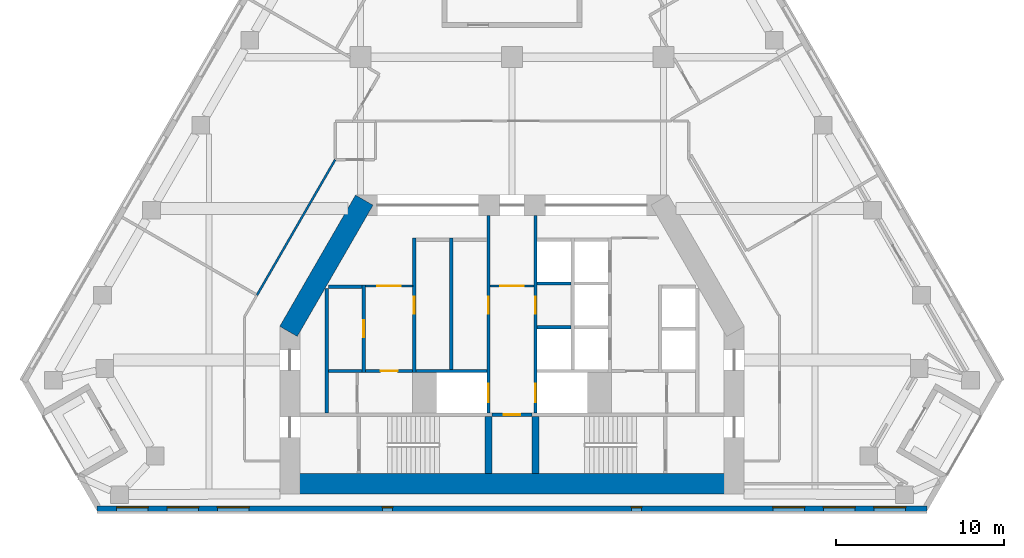
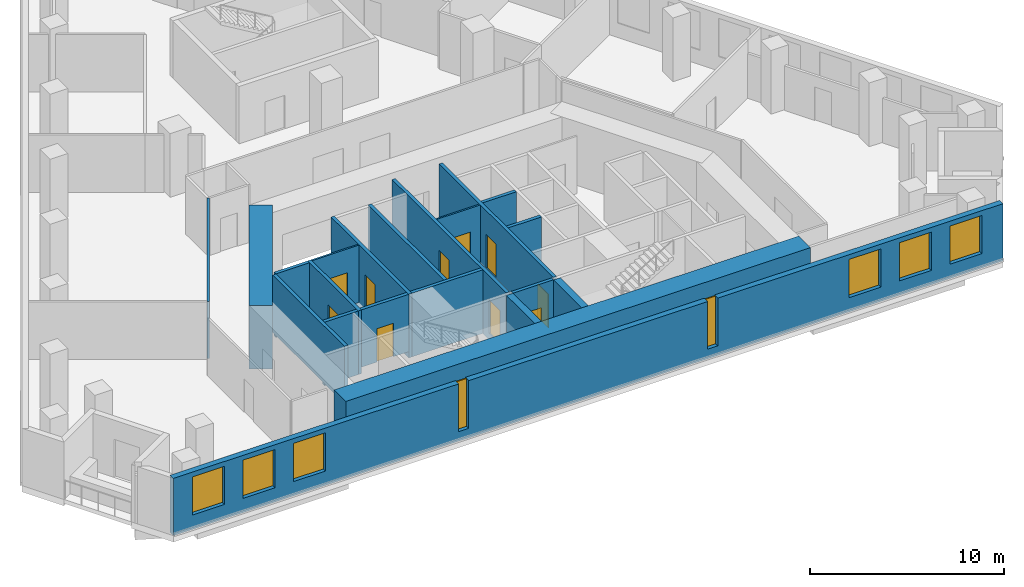
# One storey, part 4 of 9: 21 walls, 10 doors, 8 windows, 18 openings.
"""IFC4 building model written with IfcOpenShell, lengths in metres."""

from ifc_helpers import new_model, si_unit, direction, frame, frame_2d, origin, place, context, subcontext, project, spatial, rectangle, extrude, material, layer, layer_set, type_object, element, fill, save


model = new_model("IFC4")

# Units and contexts
model_context = context("Model", 3, precision=1e-05, world=origin(), true_north=direction((0.0, 1.0)))
body_context = subcontext(model_context, "Body", "Model", "MODEL_VIEW")
ifc_project = project(units=[si_unit("LENGTHUNIT", "METRE"), si_unit("AREAUNIT", "SQUARE_METRE"), si_unit("VOLUMEUNIT", "CUBIC_METRE"), si_unit("PLANEANGLEUNIT", "RADIAN"), si_unit("MASSUNIT", "GRAM", prefix="KILO")], contexts=[model_context])

# Site, building, storey
site_placement = place(None, origin())
site = spatial("IfcSite", under=ifc_project, at=site_placement, CompositionType="ELEMENT")
building_placement = place(site_placement, origin())
building = spatial("IfcBuilding", under=site, at=building_placement, Name="Fogline Exchange Tower", CompositionType="ELEMENT")
storey_placement = place(building_placement, frame((0.0, 0.0, 146.89990234375)))
storey = spatial("IfcBuildingStorey", under=building, at=storey_placement, Name="L32", CompositionType="ELEMENT", Elevation=146.89990234375)

# Wall, opening, door
ifc_material_1 = material(Name="Blockwork partition", Category="masonry")
ifc_layer_1 = layer(ifc_material_1, 0.10009765625)
ifc_layer_set_1 = layer_set([ifc_layer_1], Name="CW10")
wall_type_1 = type_object("IfcWallType", Name="CW10", PredefinedType="PARTITIONING", material=ifc_layer_set_1)
wall_1_placement = place(storey_placement, frame((-8.699951171875, 13.39990234375, 0.0), z_axis=(0.0, 0.0, 1.0), x_axis=(1.0, 0.0, 0.0)))
wall_1 = element("IfcWall", 1, at=wall_1_placement, inside=storey, type_object=wall_type_1, Name="Lift lobby partition", PredefinedType="PARTITIONING", context=body_context, shape_type="SweptSolid", body=[
    extrude(rectangle(XDim=2.800048828125, YDim=0.10009765625, at=frame_2d((1.39990234375, 0.0))), origin(), (0.0, 0.0, 1.0), 3.60009765625),
])
opening_1_placement = place(wall_1_placement, frame((0.699951171875, 0.0, 0.0)))
opening_1 = element("IfcOpeningElement", 2, at=opening_1_placement, cuts=wall_1, Name="Opening T10-C006", PredefinedType="OPENING", context=body_context, shape_type="SweptSolid", body=[
    extrude(rectangle(XDim=1.39990234375, YDim=2.10009765625, at=frame_2d((0.699951171875, 1.050048828125))), frame((0.0, 0.06005859375, 0.0), z_axis=(0.0, -1.0, 0.0), x_axis=(1.0, 0.0, 0.0)), (0.0, 0.0, 1.0), 0.1201171875),
])
ifc_material_2 = material(Name="Steel and timber fire door", Category="steel")
door_type_1 = type_object("IfcDoorType", Name="D-LB1", OperationType="DOUBLE_DOOR_SINGLE_SWING", PredefinedType="DOOR", material=ifc_material_2)
door_1_placement = place(opening_1_placement, frame((1.39990234375, 0.0, 0.0), z_axis=(0.0, 0.0, 1.0), x_axis=(-1.0, 0.0, 0.0)))
door_1 = element("IfcDoor", 3, at=door_1_placement, inside=storey, type_object=door_type_1, Name="Door to lift lobby", OperationType="DOUBLE_DOOR_SINGLE_SWING", OverallHeight=2.10009765625, OverallWidth=1.39990234375, PredefinedType="DOOR", context=body_context, shape_type="SweptSolid", body=[
    extrude(rectangle(XDim=1.39990234375, YDim=2.10009765625, at=frame_2d((0.699951171875, 1.050048828125))), frame((0.0, 0.02490234375, 0.0), z_axis=(0.0, -1.0, 0.0), x_axis=(1.0, 0.0, 0.0)), (0.0, 0.0, 1.0), 0.050048828125),
])
fill(opening_1, door_1)

wall_2_placement = place(storey_placement, frame((-1.300048828125, 13.39990234375, 0.0), z_axis=(0.0, 0.0, 1.0), x_axis=(1.0, 0.0, 0.0)))
wall_2 = element("IfcWall", 4, at=wall_2_placement, inside=storey, type_object=wall_type_1, Name="Lift lobby partition", PredefinedType="PARTITIONING", context=body_context, shape_type="SweptSolid", body=[
    extrude(rectangle(XDim=2.60009765625, YDim=0.10009765625, at=frame_2d((1.300048828125, 0.0))), origin(), (0.0, 0.0, 1.0), 3.60009765625),
])
opening_2_placement = place(wall_2_placement, frame((0.60009765625, 0.0, 0.0)))
opening_2 = element("IfcOpeningElement", 5, at=opening_2_placement, cuts=wall_2, Name="Opening T10-C018", PredefinedType="OPENING", context=body_context, shape_type="SweptSolid", body=[
    extrude(rectangle(XDim=1.39990234375, YDim=2.10009765625, at=frame_2d((0.699951171875, 1.050048828125))), frame((0.0, 0.06005859375, 0.0), z_axis=(0.0, -1.0, 0.0), x_axis=(1.0, 0.0, 0.0)), (0.0, 0.0, 1.0), 0.1201171875),
])
door_2_placement = place(opening_2_placement, origin())
door_2 = element("IfcDoor", 6, at=door_2_placement, inside=storey, type_object=door_type_1, Name="Door to firefighting lift lobby", OperationType="DOUBLE_DOOR_SINGLE_SWING", OverallHeight=2.10009765625, OverallWidth=1.39990234375, PredefinedType="DOOR", context=body_context, shape_type="SweptSolid", body=[
    extrude(rectangle(XDim=1.39990234375, YDim=2.10009765625, at=frame_2d((0.699951171875, 1.050048828125))), frame((0.0, 0.02490234375, 0.0), z_axis=(0.0, -1.0, 0.0), x_axis=(1.0, 0.0, 0.0)), (0.0, 0.0, 1.0), 0.050048828125),
])
fill(opening_2, door_2)

# Wall
ifc_material_3 = material(Name="Concrete C40", Category="concrete")
ifc_layer_2 = layer(ifc_material_3, 0.199951171875)
ifc_layer_set_2 = layer_set([ifc_layer_2], Name="CW20")
wall_type_2 = type_object("IfcWallType", Name="CW20", PredefinedType="SOLIDWALL", material=ifc_layer_set_2)
wall_3_placement = place(storey_placement, frame((-11.0, 5.85009765625, 0.0), z_axis=(0.0, 0.0, 1.0), x_axis=(0.0, 1.0, 0.0)))
element("IfcWall", 7, at=wall_3_placement, inside=storey, type_object=wall_type_2, Name="Service room wall", PredefinedType="SOLIDWALL", context=body_context, shape_type="SweptSolid", body=[
    extrude(rectangle(XDim=7.39990234375, YDim=0.199951171875, at=frame_2d((3.699951171875, 0.0))), origin(), (0.0, 0.0, 1.0), 3.60009765625),
])

# Wall, opening, door
wall_4_placement = place(storey_placement, frame((-8.699951171875, 8.35009765625, 0.0), z_axis=(0.0, 0.0, 1.0), x_axis=(1.0, 0.0, 0.0)))
wall_4 = element("IfcWall", 8, at=wall_4_placement, inside=storey, type_object=wall_type_2, Name="WC wall", PredefinedType="SOLIDWALL", context=body_context, shape_type="SweptSolid", body=[
    extrude(rectangle(XDim=2.800048828125, YDim=0.199951171875, at=frame_2d((1.39990234375, 0.0))), origin(), (0.0, 0.0, 1.0), 3.60009765625),
])
opening_3_placement = place(wall_4_placement, frame((0.89990234375, 0.0, 0.0)))
opening_3 = element("IfcOpeningElement", 9, at=opening_3_placement, cuts=wall_4, Name="Opening T10-C007", PredefinedType="OPENING", context=body_context, shape_type="SweptSolid", body=[
    extrude(rectangle(XDim=1.0, YDim=2.10009765625, at=frame_2d((0.5, 1.050048828125))), frame((0.0, 0.10986328125, 0.0), z_axis=(0.0, -1.0, 0.0), x_axis=(1.0, 0.0, 0.0)), (0.0, 0.0, 1.0), 0.219970703125),
])
door_type_2 = type_object("IfcDoorType", Name="D-WC1", OperationType="SINGLE_SWING_LEFT", PredefinedType="DOOR", material=ifc_material_2)
door_3_placement = place(opening_3_placement, frame((1.0, 0.0, 0.0), z_axis=(0.0, 0.0, 1.0), x_axis=(-1.0, 0.0, 0.0)))
door_3 = element("IfcDoor", 10, at=door_3_placement, inside=storey, type_object=door_type_2, Name="Door to Men's WC", OperationType="SINGLE_SWING_LEFT", OverallHeight=2.10009765625, OverallWidth=1.0, PredefinedType="DOOR", context=body_context, shape_type="SweptSolid", body=[
    extrude(rectangle(XDim=1.0, YDim=2.10009765625, at=frame_2d((0.5, 1.050048828125))), frame((0.0, 0.02490234375, 0.0), z_axis=(0.0, -1.0, 0.0), x_axis=(1.0, 0.0, 0.0)), (0.0, 0.0, 1.0), 0.050048828125),
])
fill(opening_3, door_3)

ifc_layer_3 = layer(ifc_material_3, 0.199951171875)
ifc_layer_set_3 = layer_set([ifc_layer_3], Name="CW20R")
wall_type_3 = type_object("IfcWallType", Name="CW20R", PredefinedType="SOLIDWALL", material=ifc_layer_set_3)
wall_5_placement = place(storey_placement, frame((-1.199951171875, 5.75, -0.39990234375), z_axis=(0.0, 0.0, 1.0), x_axis=(1.0, 0.0, 0.0)))
wall_5 = element("IfcWall", 11, at=wall_5_placement, inside=storey, type_object=wall_type_3, Name="Stair enclosure wall", PredefinedType="SOLIDWALL", context=body_context, shape_type="SweptSolid", body=[
    extrude(rectangle(XDim=2.39990234375, YDim=0.199951171875, at=frame_2d((1.199951171875, 0.0))), origin(), (0.0, 0.0, 1.0), 4.0),
])
opening_4_placement = place(wall_5_placement, frame((0.699951171875, 0.0, 0.39990234375)))
opening_4 = element("IfcOpeningElement", 12, at=opening_4_placement, cuts=wall_5, Name="Opening T10-C005", PredefinedType="OPENING", context=body_context, shape_type="SweptSolid", body=[
    extrude(rectangle(XDim=1.0, YDim=2.10009765625, at=frame_2d((0.5, 1.050048828125))), frame((0.0, 0.10986328125, 0.0), z_axis=(0.0, -1.0, 0.0), x_axis=(1.0, 0.0, 0.0)), (0.0, 0.0, 1.0), 0.219970703125),
])
door_type_3 = type_object("IfcDoorType", Name="D-RM1", OperationType="SINGLE_SWING_LEFT", PredefinedType="DOOR", material=ifc_material_2)
door_4_placement = place(opening_4_placement, frame((1.0, 0.0, 0.0), z_axis=(0.0, 0.0, 1.0), x_axis=(-1.0, 0.0, 0.0)))
door_4 = element("IfcDoor", 13, at=door_4_placement, inside=storey, type_object=door_type_3, Name="Door to Archive Store", OperationType="SINGLE_SWING_RIGHT", OverallHeight=2.10009765625, OverallWidth=1.0, PredefinedType="DOOR", context=body_context, shape_type="SweptSolid", body=[
    extrude(rectangle(XDim=1.0, YDim=2.10009765625, at=frame_2d((0.5, 1.050048828125))), frame((0.0, 0.02490234375, 0.0), z_axis=(0.0, -1.0, 0.0), x_axis=(1.0, 0.0, 0.0)), (0.0, 0.0, 1.0), 0.050048828125),
])
fill(opening_4, door_4)

ifc_layer_4 = layer(ifc_material_3, 0.199951171875)
ifc_layer_set_4 = layer_set([ifc_layer_4], Name="CW20S")
wall_type_4 = type_object("IfcWallType", Name="CW20S", PredefinedType="SOLIDWALL", material=ifc_layer_set_4)
wall_6_placement = place(storey_placement, frame((-8.800048828125, 8.25, -0.39990234375), z_axis=(0.0, 0.0, 1.0), x_axis=(0.0, 1.0, 0.0)))
wall_6 = element("IfcWall", 14, at=wall_6_placement, inside=storey, type_object=wall_type_4, Name="Lift shaft wall", PredefinedType="SOLIDWALL", context=body_context, shape_type="SweptSolid", body=[
    extrude(rectangle(XDim=5.199951171875, YDim=0.199951171875, at=frame_2d((2.60009765625, 0.0))), origin(), (0.0, 0.0, 1.0), 4.0),
])
opening_5_placement = place(wall_6_placement, frame((2.10009765625, 0.0, 0.39990234375)))
opening_5 = element("IfcOpeningElement", 15, at=opening_5_placement, cuts=wall_6, Name="Opening T10-C001", PredefinedType="OPENING", context=body_context, shape_type="SweptSolid", body=[
    extrude(rectangle(XDim=1.0, YDim=2.10009765625, at=frame_2d((0.5, 1.050048828125))), frame((0.0, 0.10986328125, 0.0), z_axis=(0.0, -1.0, 0.0), x_axis=(1.0, 0.0, 0.0)), (0.0, 0.0, 1.0), 0.219970703125),
])
door_5_placement = place(opening_5_placement, origin())
door_5 = element("IfcDoor", 16, at=door_5_placement, inside=storey, type_object=door_type_3, Name="Door to Reprographics Room", OperationType="SINGLE_SWING_RIGHT", OverallHeight=2.10009765625, OverallWidth=1.0, PredefinedType="DOOR", context=body_context, shape_type="SweptSolid", body=[
    extrude(rectangle(XDim=1.0, YDim=2.10009765625, at=frame_2d((0.5, 1.050048828125))), frame((0.0, 0.02490234375, 0.0), z_axis=(0.0, -1.0, 0.0), x_axis=(1.0, 0.0, 0.0)), (0.0, 0.0, 1.0), 0.050048828125),
])
fill(opening_5, door_5)

wall_7_placement = place(storey_placement, frame((-5.800048828125, 8.25, -0.39990234375), z_axis=(0.0, 0.0, 1.0), x_axis=(0.0, 1.0, 0.0)))
wall_7 = element("IfcWall", 17, at=wall_7_placement, inside=storey, type_object=wall_type_4, Name="Lift shaft wall", PredefinedType="SOLIDWALL", context=body_context, shape_type="SweptSolid", body=[
    extrude(rectangle(XDim=8.0, YDim=0.199951171875, at=frame_2d((4.0, 0.0))), origin(), (0.0, 0.0, 1.0), 4.0),
])
opening_6_placement = place(wall_7_placement, frame((3.5, 0.0, 0.39990234375)))
opening_6 = element("IfcOpeningElement", 18, at=opening_6_placement, cuts=wall_7, Name="Opening T10-C002", PredefinedType="OPENING", context=body_context, shape_type="SweptSolid", body=[
    extrude(rectangle(XDim=1.0, YDim=2.10009765625, at=frame_2d((0.5, 1.050048828125))), frame((0.0, 0.10986328125, 0.0), z_axis=(0.0, -1.0, 0.0), x_axis=(1.0, 0.0, 0.0)), (0.0, 0.0, 1.0), 0.219970703125),
])
door_6_placement = place(opening_6_placement, frame((1.0, 0.0, 0.0), z_axis=(0.0, 0.0, 1.0), x_axis=(-1.0, 0.0, 0.0)))
door_6 = element("IfcDoor", 19, at=door_6_placement, inside=storey, type_object=door_type_3, Name="Door to Plant Room", OperationType="SINGLE_SWING_RIGHT", OverallHeight=2.10009765625, OverallWidth=1.0, PredefinedType="DOOR", context=body_context, shape_type="SweptSolid", body=[
    extrude(rectangle(XDim=1.0, YDim=2.10009765625, at=frame_2d((0.5, 1.050048828125))), frame((0.0, 0.02490234375, 0.0), z_axis=(0.0, -1.0, 0.0), x_axis=(1.0, 0.0, 0.0)), (0.0, 0.0, 1.0), 0.050048828125),
])
fill(opening_6, door_6)

# Wall
wall_8_placement = place(storey_placement, frame((-3.60009765625, 8.449951171875, -0.39990234375), z_axis=(0.0, 0.0, 1.0), x_axis=(0.0, 1.0, 0.0)))
element("IfcWall", 20, at=wall_8_placement, inside=storey, type_object=wall_type_4, Name="Lift shaft wall", PredefinedType="SOLIDWALL", context=body_context, shape_type="SweptSolid", body=[
    extrude(rectangle(XDim=7.800048828125, YDim=0.199951171875, at=frame_2d((3.89990234375, 0.0))), origin(), (0.0, 0.0, 1.0), 4.0),
])

# Wall, openings, doors
wall_9_placement = place(storey_placement, frame((-1.39990234375, 5.85009765625, -0.39990234375), z_axis=(0.0, 0.0, 1.0), x_axis=(0.0, 1.0, 0.0)))
wall_9 = element("IfcWall", 21, at=wall_9_placement, inside=storey, type_object=wall_type_4, Name="Lift lobby wall", PredefinedType="SOLIDWALL", context=body_context, shape_type="SweptSolid", body=[
    extrude(rectangle(XDim=11.75, YDim=0.199951171875, at=frame_2d((5.875, 0.0))), origin(), (0.0, 0.0, 1.0), 4.0),
])
opening_7_placement = place(wall_9_placement, frame((0.64990234375, 0.0, 0.39990234375)))
opening_7 = element("IfcOpeningElement", 22, at=opening_7_placement, cuts=wall_9, Name="Opening T10-LD01", PredefinedType="OPENING", context=body_context, shape_type="SweptSolid", body=[
    extrude(rectangle(XDim=1.10009765625, YDim=2.10009765625, at=frame_2d((0.550048828125, 1.050048828125))), frame((0.0, 0.10986328125, 0.0), z_axis=(0.0, -1.0, 0.0), x_axis=(1.0, 0.0, 0.0)), (0.0, 0.0, 1.0), 0.219970703125),
])
opening_8_placement = place(wall_9_placement, frame((5.89990234375, 0.0, 0.39990234375)))
opening_8 = element("IfcOpeningElement", 23, at=opening_8_placement, cuts=wall_9, Name="Opening T10-C003", PredefinedType="OPENING", context=body_context, shape_type="SweptSolid", body=[
    extrude(rectangle(XDim=1.0, YDim=2.10009765625, at=frame_2d((0.5, 1.050048828125))), frame((0.0, 0.10986328125, 0.0), z_axis=(0.0, -1.0, 0.0), x_axis=(1.0, 0.0, 0.0)), (0.0, 0.0, 1.0), 0.219970703125),
])
door_7_placement = place(opening_8_placement, origin())
door_7 = element("IfcDoor", 24, at=door_7_placement, inside=storey, type_object=door_type_3, Name="Door to Archive", OperationType="SINGLE_SWING_LEFT", OverallHeight=2.10009765625, OverallWidth=1.0, PredefinedType="DOOR", context=body_context, shape_type="SweptSolid", body=[
    extrude(rectangle(XDim=1.0, YDim=2.10009765625, at=frame_2d((0.5, 1.050048828125))), frame((0.0, 0.02490234375, 0.0), z_axis=(0.0, -1.0, 0.0), x_axis=(1.0, 0.0, 0.0)), (0.0, 0.0, 1.0), 0.050048828125),
])
fill(opening_8, door_7)
door_type_4 = type_object("IfcDoorType", Name="LD2", OperationType="SLIDING_TO_RIGHT", PredefinedType="DOOR", material=ifc_material_2)
door_8_placement = place(opening_7_placement, origin())
door_8 = element("IfcDoor", 25, at=door_8_placement, inside=storey, type_object=door_type_4, Name="Landing door FF1", OperationType="SLIDING_TO_RIGHT", OverallHeight=2.10009765625, OverallWidth=1.10009765625, PredefinedType="DOOR", context=body_context, shape_type="SweptSolid", body=[
    extrude(rectangle(XDim=1.10009765625, YDim=2.10009765625, at=frame_2d((0.550048828125, 1.050048828125))), frame((0.0, 0.02490234375, 0.0), z_axis=(0.0, -1.0, 0.0), x_axis=(1.0, 0.0, 0.0)), (0.0, 0.0, 1.0), 0.050048828125),
])
fill(opening_7, door_8)

wall_10_placement = place(storey_placement, frame((1.39990234375, 5.85009765625, -0.39990234375), z_axis=(0.0, 0.0, 1.0), x_axis=(0.0, 1.0, 0.0)))
wall_10 = element("IfcWall", 26, at=wall_10_placement, inside=storey, type_object=wall_type_4, Name="Lift lobby wall", PredefinedType="SOLIDWALL", context=body_context, shape_type="SweptSolid", body=[
    extrude(rectangle(XDim=11.75, YDim=0.199951171875, at=frame_2d((5.875, 0.0))), origin(), (0.0, 0.0, 1.0), 4.0),
])
opening_9_placement = place(wall_10_placement, frame((0.64990234375, 0.0, 0.39990234375)))
opening_9 = element("IfcOpeningElement", 27, at=opening_9_placement, cuts=wall_10, Name="Opening T10-LD05", PredefinedType="OPENING", context=body_context, shape_type="SweptSolid", body=[
    extrude(rectangle(XDim=1.10009765625, YDim=2.10009765625, at=frame_2d((0.550048828125, 1.050048828125))), frame((0.0, 0.10986328125, 0.0), z_axis=(0.0, -1.0, 0.0), x_axis=(1.0, 0.0, 0.0)), (0.0, 0.0, 1.0), 0.219970703125),
])
opening_10_placement = place(wall_10_placement, frame((5.89990234375, 0.0, 0.39990234375)))
opening_10 = element("IfcOpeningElement", 28, at=opening_10_placement, cuts=wall_10, Name="Opening T10-C004", PredefinedType="OPENING", context=body_context, shape_type="SweptSolid", body=[
    extrude(rectangle(XDim=1.0, YDim=2.10009765625, at=frame_2d((0.5, 1.050048828125))), frame((0.0, 0.10986328125, 0.0), z_axis=(0.0, -1.0, 0.0), x_axis=(1.0, 0.0, 0.0)), (0.0, 0.0, 1.0), 0.219970703125),
])
door_9_placement = place(opening_10_placement, frame((1.0, 0.0, 0.0), z_axis=(0.0, 0.0, 1.0), x_axis=(-1.0, 0.0, 0.0)))
door_9 = element("IfcDoor", 29, at=door_9_placement, inside=storey, type_object=door_type_3, Name="Door to Library Store", OperationType="SINGLE_SWING_RIGHT", OverallHeight=2.10009765625, OverallWidth=1.0, PredefinedType="DOOR", context=body_context, shape_type="SweptSolid", body=[
    extrude(rectangle(XDim=1.0, YDim=2.10009765625, at=frame_2d((0.5, 1.050048828125))), frame((0.0, 0.02490234375, 0.0), z_axis=(0.0, -1.0, 0.0), x_axis=(1.0, 0.0, 0.0)), (0.0, 0.0, 1.0), 0.050048828125),
])
fill(opening_10, door_9)
door_10_placement = place(opening_9_placement, origin())
door_10 = element("IfcDoor", 30, at=door_10_placement, inside=storey, type_object=door_type_4, Name="Landing door FF2", OperationType="SLIDING_TO_RIGHT", OverallHeight=2.10009765625, OverallWidth=1.10009765625, PredefinedType="DOOR", context=body_context, shape_type="SweptSolid", body=[
    extrude(rectangle(XDim=1.10009765625, YDim=2.10009765625, at=frame_2d((0.550048828125, 1.050048828125))), frame((0.0, 0.02490234375, 0.0), z_axis=(0.0, -1.0, 0.0), x_axis=(1.0, 0.0, 0.0)), (0.0, 0.0, 1.0), 0.050048828125),
])
fill(opening_9, door_10)

# Walls
wall_11_placement = place(storey_placement, frame((-10.89990234375, 8.35009765625, -0.39990234375), z_axis=(0.0, 0.0, 1.0), x_axis=(1.0, 0.0, 0.0)))
element("IfcWall", 31, at=wall_11_placement, inside=storey, type_object=wall_type_4, Name="Lift shaft wall", PredefinedType="SOLIDWALL", context=body_context, shape_type="SweptSolid", body=[
    extrude(rectangle(XDim=2.0, YDim=0.199951171875, at=frame_2d((1.0, 0.0))), origin(), (0.0, 0.0, 1.0), 4.0),
])
wall_12_placement = place(storey_placement, frame((-5.699951171875, 8.35009765625, -0.39990234375), z_axis=(0.0, 0.0, 1.0), x_axis=(1.0, 0.0, 0.0)))
element("IfcWall", 32, at=wall_12_placement, inside=storey, type_object=wall_type_4, Name="Lift shaft wall", PredefinedType="SOLIDWALL", context=body_context, shape_type="SweptSolid", body=[
    extrude(rectangle(XDim=4.199951171875, YDim=0.199951171875, at=frame_2d((2.10009765625, 0.0))), origin(), (0.0, 0.0, 1.0), 4.0),
])
for number, where, z_axis, x_axis, name in (
    (33, (-10.89990234375, 13.35009765625, -0.39990234375), (0.0, 0.0, 1.0), (1.0, 0.0, 0.0), "Lift shaft wall"),
    (34, (1.5, 10.949951171875, -0.39990234375), (0.0, 0.0, 1.0), (1.0, 0.0, 0.0), "Lift shaft wall"),
    (35, (1.5, 13.550048828125, -0.39990234375), (0.0, 0.0, 1.0), (1.0, 0.0, 0.0), "Lift shaft wall"),
):
    element("IfcWall", number, at=place(storey_placement, frame(where, z_axis=z_axis, x_axis=x_axis)), inside=storey, type_object=wall_type_4, Name=name, PredefinedType="SOLIDWALL", context=body_context, shape_type="SweptSolid", body=[
        extrude(rectangle(XDim=2.0, YDim=0.199951171875, at=frame_2d((1.0, 0.0))), origin(), (0.0, 0.0, 1.0), 4.0),
    ])
ifc_layer_5 = layer(ifc_material_3, 0.39990234375)
ifc_layer_set_5 = layer_set([ifc_layer_5], Name="CW40R")
wall_type_5 = type_object("IfcWallType", Name="CW40R", PredefinedType="SOLIDWALL", material=ifc_layer_set_5)
for number, where, z_axis, x_axis, name in (
    (36, (-1.39990234375, 2.25, -0.39990234375), (0.0, 0.0, 1.0), (0.0, 1.0, 0.0), "Stair and lift shaft wall"),
    (37, (1.39990234375, 2.25, -0.39990234375), (0.0, 0.0, 1.0), (0.0, 1.0, 0.0), "Stair and lift shaft wall"),
):
    element("IfcWall", number, at=place(storey_placement, frame(where, z_axis=z_axis, x_axis=x_axis)), inside=storey, type_object=wall_type_5, Name=name, PredefinedType="SOLIDWALL", context=body_context, shape_type="SweptSolid", body=[
        extrude(rectangle(XDim=3.39990234375, YDim=0.39990234375, at=frame_2d((1.699951171875, 0.0))), origin(), (0.0, 0.0, 1.0), 4.0),
    ])

# Wall, openings, windows
ifc_material_4 = material(Name="Brick masonry", Category="masonry")
ifc_layer_6 = layer(ifc_material_4, 0.340087890625)
ifc_layer_set_6 = layer_set([ifc_layer_6], Name="FW1")
wall_type_6 = type_object("IfcWallType", Name="FW1", PredefinedType="SOLIDWALL", material=ifc_layer_set_6)
wall_13_placement = place(storey_placement, frame((-24.6484375, 0.169921875, 0.0), z_axis=(0.0, 0.0, 1.0), x_axis=(1.0, 0.0, 0.0)))
wall_13 = element("IfcWall", 38, at=wall_13_placement, inside=storey, type_object=wall_type_6, Name="Brick wall L32 S", PredefinedType="SOLIDWALL", context=body_context, shape_type="SweptSolid", body=[
    extrude(rectangle(XDim=49.296875, YDim=0.340087890625, at=frame_2d((24.6484375, 0.0))), origin(), (0.0, 0.0, 1.0), 3.60009765625),
])
opening_11_placement = place(wall_13_placement, frame((1.1484375, 0.0, 0.89990234375)))
opening_11 = element("IfcOpeningElement", 39, at=opening_11_placement, cuts=wall_13, Name="Opening W1", PredefinedType="OPENING", context=body_context, shape_type="SweptSolid", body=[
    extrude(rectangle(XDim=1.885009765625, YDim=2.39990234375, at=frame_2d((0.9423828125, 1.199951171875))), frame((0.0, 0.18017578125, 0.0), z_axis=(0.0, -1.0, 0.0), x_axis=(1.0, 0.0, 0.0)), (0.0, 0.0, 1.0), 0.360107421875),
])
opening_12_placement = place(wall_13_placement, frame((4.1484375, 0.0, 0.89990234375)))
opening_12 = element("IfcOpeningElement", 40, at=opening_12_placement, cuts=wall_13, Name="Opening W1", PredefinedType="OPENING", context=body_context, shape_type="SweptSolid", body=[
    extrude(rectangle(XDim=1.885009765625, YDim=2.39990234375, at=frame_2d((0.9423828125, 1.199951171875))), frame((0.0, 0.18017578125, 0.0), z_axis=(0.0, -1.0, 0.0), x_axis=(1.0, 0.0, 0.0)), (0.0, 0.0, 1.0), 0.360107421875),
])
opening_13_placement = place(wall_13_placement, frame((7.1484375, 0.0, 0.89990234375)))
opening_13 = element("IfcOpeningElement", 41, at=opening_13_placement, cuts=wall_13, Name="Opening W1", PredefinedType="OPENING", context=body_context, shape_type="SweptSolid", body=[
    extrude(rectangle(XDim=1.885009765625, YDim=2.39990234375, at=frame_2d((0.9423828125, 1.199951171875))), frame((0.0, 0.18017578125, 0.0), z_axis=(0.0, -1.0, 0.0), x_axis=(1.0, 0.0, 0.0)), (0.0, 0.0, 1.0), 0.360107421875),
])
opening_14_placement = place(wall_13_placement, frame((40.1484375, 0.0, 0.89990234375)))
opening_14 = element("IfcOpeningElement", 42, at=opening_14_placement, cuts=wall_13, Name="Opening W1", PredefinedType="OPENING", context=body_context, shape_type="SweptSolid", body=[
    extrude(rectangle(XDim=1.885009765625, YDim=2.39990234375, at=frame_2d((0.9423828125, 1.199951171875))), frame((0.0, 0.18017578125, 0.0), z_axis=(0.0, -1.0, 0.0), x_axis=(1.0, 0.0, 0.0)), (0.0, 0.0, 1.0), 0.360107421875),
])
opening_15_placement = place(wall_13_placement, frame((43.1484375, 0.0, 0.89990234375)))
opening_15 = element("IfcOpeningElement", 43, at=opening_15_placement, cuts=wall_13, Name="Opening W1", PredefinedType="OPENING", context=body_context, shape_type="SweptSolid", body=[
    extrude(rectangle(XDim=1.885009765625, YDim=2.39990234375, at=frame_2d((0.9423828125, 1.199951171875))), frame((0.0, 0.18017578125, 0.0), z_axis=(0.0, -1.0, 0.0), x_axis=(1.0, 0.0, 0.0)), (0.0, 0.0, 1.0), 0.360107421875),
])
opening_16_placement = place(wall_13_placement, frame((46.1484375, 0.0, 0.89990234375)))
opening_16 = element("IfcOpeningElement", 44, at=opening_16_placement, cuts=wall_13, Name="Opening W1", PredefinedType="OPENING", context=body_context, shape_type="SweptSolid", body=[
    extrude(rectangle(XDim=1.885009765625, YDim=2.39990234375, at=frame_2d((0.9423828125, 1.199951171875))), frame((0.0, 0.18017578125, 0.0), z_axis=(0.0, -1.0, 0.0), x_axis=(1.0, 0.0, 0.0)), (0.0, 0.0, 1.0), 0.360107421875),
])
opening_17_placement = place(wall_13_placement, frame((16.948486328125, 0.0, 0.60009765625)))
opening_17 = element("IfcOpeningElement", 45, at=opening_17_placement, cuts=wall_13, Name="Opening W5", PredefinedType="OPENING", context=body_context, shape_type="SweptSolid", body=[
    extrude(rectangle(XDim=0.60009765625, YDim=3.0, at=frame_2d((0.300048828125, 1.5))), frame((0.0, 0.18017578125, 0.0), z_axis=(0.0, -1.0, 0.0), x_axis=(1.0, 0.0, 0.0)), (0.0, 0.0, 1.0), 0.360107421875),
])
opening_18_placement = place(wall_13_placement, frame((31.74853515625, 0.0, 0.60009765625)))
opening_18 = element("IfcOpeningElement", 46, at=opening_18_placement, cuts=wall_13, Name="Opening W5", PredefinedType="OPENING", context=body_context, shape_type="SweptSolid", body=[
    extrude(rectangle(XDim=0.60009765625, YDim=3.0, at=frame_2d((0.300048828125, 1.5))), frame((0.0, 0.18017578125, 0.0), z_axis=(0.0, -1.0, 0.0), x_axis=(1.0, 0.0, 0.0)), (0.0, 0.0, 1.0), 0.360107421875),
])
ifc_material_5 = material(Name="Aluminium and glass", Category="aluminium")
window_type_1 = type_object("IfcWindowType", Name="W1", PartitioningType="SINGLE_PANEL", PredefinedType="WINDOW", material=ifc_material_5)
window_1_placement = place(opening_11_placement, origin())
window_1 = element("IfcWindow", 47, at=window_1_placement, inside=storey, type_object=window_type_1, Name="W1 W1", OverallHeight=2.39990234375, OverallWidth=1.885009765625, PartitioningType="SINGLE_PANEL", PredefinedType="WINDOW", context=body_context, shape_type="SweptSolid", body=[
    extrude(rectangle(XDim=1.885009765625, YDim=2.39990234375, at=frame_2d((0.9423828125, 1.199951171875))), frame((0.0, 0.110107421875, 0.0), z_axis=(0.0, -1.0, 0.0), x_axis=(1.0, 0.0, 0.0)), (0.0, 0.0, 1.0), 0.06005859375),
])
fill(opening_11, window_1)
window_2_placement = place(opening_12_placement, origin())
window_2 = element("IfcWindow", 48, at=window_2_placement, inside=storey, type_object=window_type_1, Name="W1 W1", OverallHeight=2.39990234375, OverallWidth=1.885009765625, PartitioningType="SINGLE_PANEL", PredefinedType="WINDOW", context=body_context, shape_type="SweptSolid", body=[
    extrude(rectangle(XDim=1.885009765625, YDim=2.39990234375, at=frame_2d((0.9423828125, 1.199951171875))), frame((0.0, 0.110107421875, 0.0), z_axis=(0.0, -1.0, 0.0), x_axis=(1.0, 0.0, 0.0)), (0.0, 0.0, 1.0), 0.06005859375),
])
fill(opening_12, window_2)
window_3_placement = place(opening_13_placement, origin())
window_3 = element("IfcWindow", 49, at=window_3_placement, inside=storey, type_object=window_type_1, Name="W1 W1", OverallHeight=2.39990234375, OverallWidth=1.885009765625, PartitioningType="SINGLE_PANEL", PredefinedType="WINDOW", context=body_context, shape_type="SweptSolid", body=[
    extrude(rectangle(XDim=1.885009765625, YDim=2.39990234375, at=frame_2d((0.9423828125, 1.199951171875))), frame((0.0, 0.110107421875, 0.0), z_axis=(0.0, -1.0, 0.0), x_axis=(1.0, 0.0, 0.0)), (0.0, 0.0, 1.0), 0.06005859375),
])
fill(opening_13, window_3)
window_4_placement = place(opening_14_placement, origin())
window_4 = element("IfcWindow", 50, at=window_4_placement, inside=storey, type_object=window_type_1, Name="W1 W1", OverallHeight=2.39990234375, OverallWidth=1.885009765625, PartitioningType="SINGLE_PANEL", PredefinedType="WINDOW", context=body_context, shape_type="SweptSolid", body=[
    extrude(rectangle(XDim=1.885009765625, YDim=2.39990234375, at=frame_2d((0.9423828125, 1.199951171875))), frame((0.0, 0.110107421875, 0.0), z_axis=(0.0, -1.0, 0.0), x_axis=(1.0, 0.0, 0.0)), (0.0, 0.0, 1.0), 0.06005859375),
])
fill(opening_14, window_4)
window_5_placement = place(opening_15_placement, origin())
window_5 = element("IfcWindow", 51, at=window_5_placement, inside=storey, type_object=window_type_1, Name="W1 W1", OverallHeight=2.39990234375, OverallWidth=1.885009765625, PartitioningType="SINGLE_PANEL", PredefinedType="WINDOW", context=body_context, shape_type="SweptSolid", body=[
    extrude(rectangle(XDim=1.885009765625, YDim=2.39990234375, at=frame_2d((0.9423828125, 1.199951171875))), frame((0.0, 0.110107421875, 0.0), z_axis=(0.0, -1.0, 0.0), x_axis=(1.0, 0.0, 0.0)), (0.0, 0.0, 1.0), 0.06005859375),
])
fill(opening_15, window_5)
window_6_placement = place(opening_16_placement, origin())
window_6 = element("IfcWindow", 52, at=window_6_placement, inside=storey, type_object=window_type_1, Name="W1 W1", OverallHeight=2.39990234375, OverallWidth=1.885009765625, PartitioningType="SINGLE_PANEL", PredefinedType="WINDOW", context=body_context, shape_type="SweptSolid", body=[
    extrude(rectangle(XDim=1.885009765625, YDim=2.39990234375, at=frame_2d((0.9423828125, 1.199951171875))), frame((0.0, 0.110107421875, 0.0), z_axis=(0.0, -1.0, 0.0), x_axis=(1.0, 0.0, 0.0)), (0.0, 0.0, 1.0), 0.06005859375),
])
fill(opening_16, window_6)
window_type_2 = type_object("IfcWindowType", Name="W5", PartitioningType="SINGLE_PANEL", PredefinedType="WINDOW", material=ifc_material_5)
window_7_placement = place(opening_17_placement, origin())
window_7 = element("IfcWindow", 53, at=window_7_placement, inside=storey, type_object=window_type_2, Name="W5 W5", OverallHeight=3.0, OverallWidth=0.60009765625, PartitioningType="SINGLE_PANEL", PredefinedType="WINDOW", context=body_context, shape_type="SweptSolid", body=[
    extrude(rectangle(XDim=0.60009765625, YDim=3.0, at=frame_2d((0.300048828125, 1.5))), frame((0.0, 0.110107421875, 0.0), z_axis=(0.0, -1.0, 0.0), x_axis=(1.0, 0.0, 0.0)), (0.0, 0.0, 1.0), 0.06005859375),
])
fill(opening_17, window_7)
window_8_placement = place(opening_18_placement, origin())
window_8 = element("IfcWindow", 54, at=window_8_placement, inside=storey, type_object=window_type_2, Name="W5 W5", OverallHeight=3.0, OverallWidth=0.60009765625, PartitioningType="SINGLE_PANEL", PredefinedType="WINDOW", context=body_context, shape_type="SweptSolid", body=[
    extrude(rectangle(XDim=0.60009765625, YDim=3.0, at=frame_2d((0.300048828125, 1.5))), frame((0.0, 0.110107421875, 0.0), z_axis=(0.0, -1.0, 0.0), x_axis=(1.0, 0.0, 0.0)), (0.0, 0.0, 1.0), 0.06005859375),
])
fill(opening_18, window_8)

# Walls
ifc_material_6 = material(Name="Plasterboard corridor partition with mineral wool, 2 layers each side")
ifc_layer_7 = layer(ifc_material_6, 0.125)
ifc_layer_set_7 = layer_set([ifc_layer_7], Name="PW2")
wall_type_7 = type_object("IfcWallType", Name="PW2", PredefinedType="PARTITIONING", material=ifc_layer_set_7)
wall_14_placement = place(storey_placement, frame((-15.152587890625, 12.856201171875, 0.0), z_axis=(0.0, 0.0, 1.0), x_axis=(0.500000801987, 0.866024940756, 0.0)))
element("IfcWall", 55, at=wall_14_placement, inside=storey, type_object=wall_type_7, Name="wall-L32-W010", PredefinedType="PARTITIONING", context=body_context, shape_type="SweptSolid", body=[
    extrude(rectangle(XDim=9.2880859375, YDim=0.125, at=frame_2d((4.64404296875, 0.0))), origin(), (0.0, 0.0, 1.0), 3.60009765625),
])
ifc_material_7 = material(Name="Concrete C60", Category="concrete")
ifc_layer_8 = layer(ifc_material_7, 1.199951171875)
ifc_layer_set_8 = layer_set([ifc_layer_8], Name="SW02")
wall_type_8 = type_object("IfcWallType", Name="SW02", PredefinedType="SHEAR", material=ifc_layer_set_8)
wall_15_placement = place(storey_placement, frame((-13.800048828125, 1.64990234375, 0.0), z_axis=(0.0, 0.0, 1.0), x_axis=(1.0, 0.0, 0.0)))
element("IfcWall", 56, at=wall_15_placement, inside=storey, type_object=wall_type_8, Name="L32-W901", PredefinedType="SHEAR", context=body_context, shape_type="SweptSolid", body=[
    extrude(rectangle(XDim=27.60009765625, YDim=1.199951171875, at=frame_2d((13.800048828125, 0.0))), origin(), (0.0, 0.0, 1.0), 4.0),
])
wall_16_placement = place(storey_placement, frame((-8.776611328125, 18.5, 0.0), z_axis=(0.0, 0.0, 1.0), x_axis=(-0.499998513025, -0.866026262288, 0.0)))
element("IfcWall", 57, at=wall_16_placement, inside=storey, type_object=wall_type_8, Name="L32-W905", PredefinedType="SHEAR", context=body_context, shape_type="SweptSolid", body=[
    extrude(rectangle(XDim=9.0078125, YDim=1.199951171875, at=frame_2d((4.50390625, 0.0))), origin(), (0.0, 0.0, 1.0), 4.0),
])

save(model, "model.ifc")
